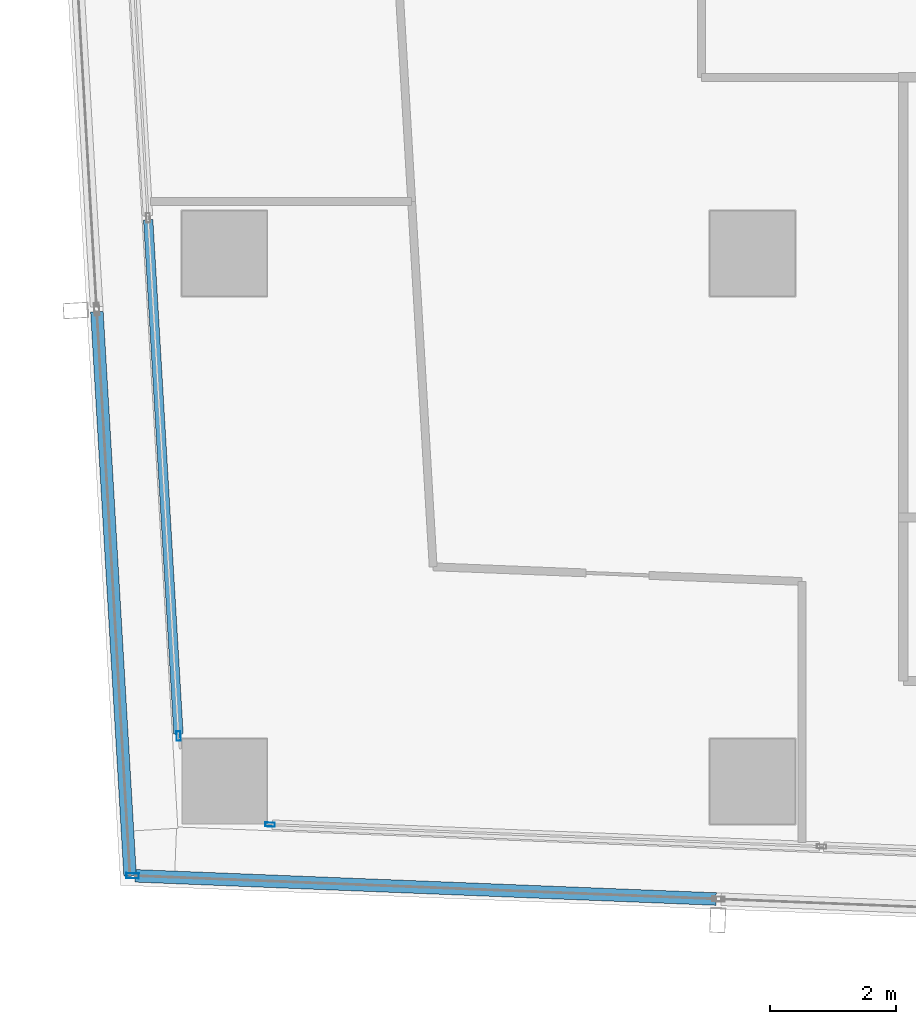
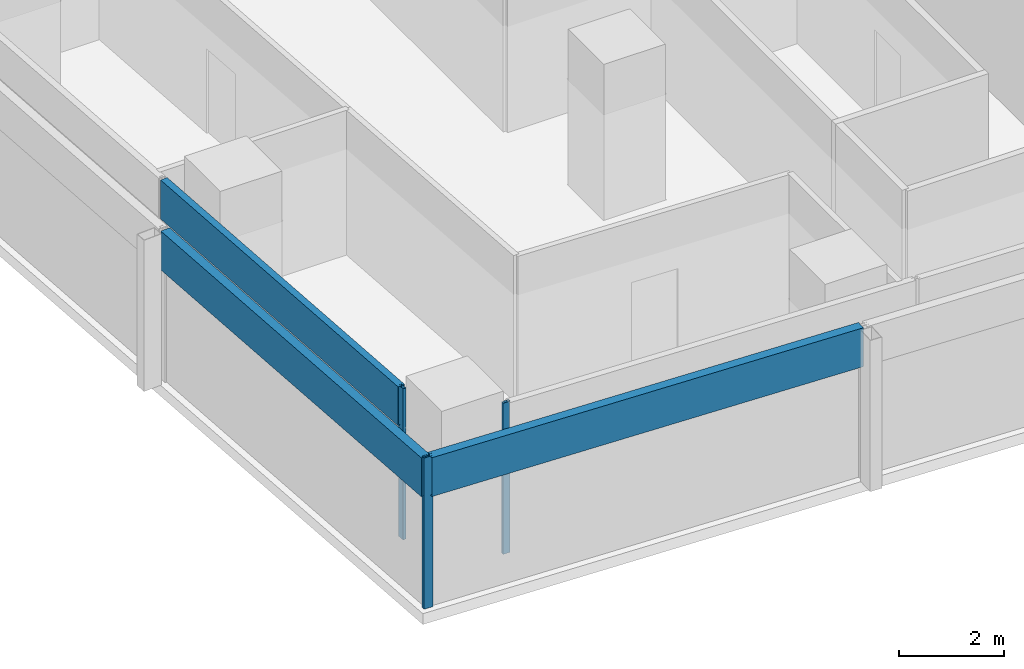
# One storey, part 2 of 33: 6 members, 4 elements without a shape of their own.
"""IFC4 building model written with IfcOpenShell, lengths in metres."""

from ifc_helpers import new_model, si_unit, direction, frame, origin, origin_2d, place, context, subcontext, project, spatial, hollow_rectangle, extrude, material, material_profile, profile_set, type_object, element, aggregate, save


model = new_model("IFC4")

# Units and contexts
model_context = context("Model", 3, precision=1e-05, world=origin(), true_north=direction((0.0, 1.0)))
body_context = subcontext(model_context, "Body", "Model", "MODEL_VIEW")
ifc_project = project(units=[si_unit("LENGTHUNIT", "METRE"), si_unit("AREAUNIT", "SQUARE_METRE"), si_unit("VOLUMEUNIT", "CUBIC_METRE"), si_unit("PLANEANGLEUNIT", "RADIAN"), si_unit("MASSUNIT", "GRAM", prefix="KILO")], contexts=[model_context])

# Site, building, storey
site_placement = place(None, origin())
site = spatial("IfcSite", under=ifc_project, at=site_placement, CompositionType="ELEMENT")
building_placement = place(site_placement, origin())
building = spatial("IfcBuilding", under=site, at=building_placement, Name="Rekha Terrace Tower", CompositionType="ELEMENT")
storey_placement = place(building_placement, frame((0.0, 0.0, 206.449951171875)))
storey = spatial("IfcBuildingStorey", under=building, at=storey_placement, Name="L52", CompositionType="ELEMENT", Elevation=206.449951171875)

# Curtain wall, member
ifc_material_1 = material(Name="Aluminium framing", Category="aluminium")
curtain_wall_type_1 = type_object("IfcCurtainWallType", Name="CW1 double skin inner glazing", PredefinedType="USERDEFINED", material=ifc_material_1)
curtain_wall_1_placement = place(storey_placement, origin())
curtain_wall_1 = element("IfcCurtainWall", 1, at=curtain_wall_1_placement, inside=storey, type_object=curtain_wall_type_1, Name="CW1 double skin inner glazing", ObjectType="DOUBLE SKIN INNER GLAZING", PredefinedType="USERDEFINED")
ifc_material_2 = material(Name="Aluminium mullion section", Category="aluminium")
ifc_material_profile_1 = material_profile(ifc_material_2, hollow_rectangle(XDim=0.06494140625, YDim=0.14990234375, WallThickness=0.00390625, at=origin_2d()), Name="AL RHS 65x150")
ifc_profile_set_1 = profile_set([ifc_material_profile_1], Name="Aluminium mullion section")
member_type_1 = type_object("IfcMemberType", Name="CW1 mullion RHS 65 x 150", PredefinedType="MULLION", material=ifc_profile_set_1)
member_1_placement = place(storey_placement, frame((9.127197265625, 16.115966796875, 0.0), z_axis=(0.0, 0.0, 1.0), x_axis=(0.039872497061, 0.999204775798, 0.0)))
member_1 = element("IfcMember", 2, at=member_1_placement, type_object=member_type_1, Name="CW1 mullion 1", PredefinedType="MULLION", context=body_context, shape_type="SweptSolid", body=[
    extrude(hollow_rectangle(XDim=0.06494140625, YDim=0.14990234375, WallThickness=0.00390625, at=origin_2d()), origin(), (0.0, 0.0, 1.0), 3.5),
])
aggregate(curtain_wall_1, [member_1])

# Curtain wall, members
curtain_wall_2_placement = place(storey_placement, origin())
curtain_wall_2 = element("IfcCurtainWall", 3, at=curtain_wall_2_placement, inside=storey, type_object=curtain_wall_type_1, Name="CW1 double skin inner glazing", ObjectType="DOUBLE SKIN INNER GLAZING", PredefinedType="USERDEFINED")
member_2_placement = place(storey_placement, frame((7.672119140625, 17.5244140625, 0.0), z_axis=(0.0, 0.0, 1.0), x_axis=(0.998271839269, 0.058765082516, 0.0)))
member_2 = element("IfcMember", 4, at=member_2_placement, type_object=member_type_1, Name="CW1 mullion 4", PredefinedType="MULLION", context=body_context, shape_type="SweptSolid", body=[
    extrude(hollow_rectangle(XDim=0.06494140625, YDim=0.14990234375, WallThickness=0.00390625, at=origin_2d()), origin(), (0.0, 0.0, 1.0), 3.5),
])
ifc_material_3 = material(Name="Insulated aluminium spandrel box", Category="aluminium")
ifc_material_profile_2 = material_profile(ifc_material_3, hollow_rectangle(XDim=0.14990234375, YDim=0.89990234375, WallThickness=0.0029296875, at=origin_2d()), Name="AL SPANDREL BOX 150x900")
ifc_profile_set_2 = profile_set([ifc_material_profile_2], Name="Insulated aluminium spandrel box")
member_type_2 = type_object("IfcMemberType", Name="CW1 spandrel transom 150 x 900", PredefinedType="USERDEFINED", material=ifc_profile_set_2)
member_3_placement = place(storey_placement, frame((7.188720703125, 25.733642578125, 3.050048828125), z_axis=(0.058777934282, -0.998271082643, 0.0), x_axis=(0.998271082643, 0.058777934282, 0.0)))
member_3 = element("IfcMember", 5, at=member_3_placement, type_object=member_type_2, Name="CW1 spandrel transom 3", ObjectType="TRANSOM", PredefinedType="USERDEFINED", context=body_context, shape_type="SweptSolid", body=[
    extrude(hollow_rectangle(XDim=0.14990234375, YDim=0.89990234375, WallThickness=0.0029296875, at=origin_2d()), origin(), (0.0, 0.0, 1.0), 8.19091796875),
])
aggregate(curtain_wall_2, [member_2, member_3])

curtain_wall_type_2 = type_object("IfcCurtainWallType", Name="CW2 double skin outer glazing", PredefinedType="USERDEFINED", material=ifc_material_1)
curtain_wall_3_placement = place(storey_placement, origin())
curtain_wall_3 = element("IfcCurtainWall", 6, at=curtain_wall_3_placement, inside=storey, type_object=curtain_wall_type_2, Name="CW2 double skin outer glazing", ObjectType="DOUBLE SKIN OUTER GLAZING", PredefinedType="USERDEFINED")
ifc_material_profile_3 = material_profile(ifc_material_2, hollow_rectangle(XDim=0.080078125, YDim=0.199951171875, WallThickness=0.00390625, at=origin_2d()), Name="AL RHS 80x200")
ifc_profile_set_3 = profile_set([ifc_material_profile_3], Name="Aluminium mullion section")
member_type_3 = type_object("IfcMemberType", Name="CW2 mullion RHS 80 x 200", PredefinedType="MULLION", material=ifc_profile_set_3)
member_4_placement = place(storey_placement, frame((6.941162109375, 15.302490234375, 0.0), z_axis=(0.0, 0.0, 1.0), x_axis=(0.039872497044, 0.999204775799, 0.0)))
member_4 = element("IfcMember", 7, at=member_4_placement, type_object=member_type_3, Name="CW2 mullion 1", PredefinedType="MULLION", context=body_context, shape_type="SweptSolid", body=[
    extrude(hollow_rectangle(XDim=0.080078125, YDim=0.199951171875, WallThickness=0.00390625, at=origin_2d()), origin(), (0.0, 0.0, 1.0), 3.5),
])
ifc_material_profile_4 = material_profile(ifc_material_3, hollow_rectangle(XDim=0.199951171875, YDim=0.89990234375, WallThickness=0.0029296875, at=origin_2d()), Name="AL SPANDREL BOX 200x900")
ifc_profile_set_4 = profile_set([ifc_material_profile_4], Name="Insulated aluminium spandrel box")
member_type_4 = type_object("IfcMemberType", Name="CW2 spandrel transom 200 x 900", PredefinedType="USERDEFINED", material=ifc_profile_set_4)
member_5_placement = place(storey_placement, frame((6.981201171875, 15.301025390625, 3.050048828125), z_axis=(0.999203782278, -0.039897386899, 0.0), x_axis=(0.039897386899, 0.999203782278, 0.0)))
member_5 = element("IfcMember", 8, at=member_5_placement, type_object=member_type_4, Name="CW2 spandrel transom 1", ObjectType="TRANSOM", PredefinedType="USERDEFINED", context=body_context, shape_type="SweptSolid", body=[
    extrude(hollow_rectangle(XDim=0.199951171875, YDim=0.89990234375, WallThickness=0.0029296875, at=origin_2d()), origin(), (0.0, 0.0, 1.0), 9.24609375),
])
aggregate(curtain_wall_3, [member_4, member_5])

# Curtain wall, member
curtain_wall_4_placement = place(storey_placement, origin())
curtain_wall_4 = element("IfcCurtainWall", 9, at=curtain_wall_4_placement, inside=storey, type_object=curtain_wall_type_2, Name="CW2 double skin outer glazing", ObjectType="DOUBLE SKIN OUTER GLAZING", PredefinedType="USERDEFINED")
member_6_placement = place(storey_placement, frame((6.373291015625, 24.27197265625, 3.050048828125), z_axis=(0.058757071111, -0.998272310842, 0.0), x_axis=(0.998272310842, 0.058757071111, 0.0)))
member_6 = element("IfcMember", 10, at=member_6_placement, type_object=member_type_4, Name="CW2 spandrel transom 3", ObjectType="TRANSOM", PredefinedType="USERDEFINED", context=body_context, shape_type="SweptSolid", body=[
    extrude(hollow_rectangle(XDim=0.199951171875, YDim=0.89990234375, WallThickness=0.0029296875, at=origin_2d()), origin(), (0.0, 0.0, 1.0), 8.9833984375),
])
aggregate(curtain_wall_4, [member_6])

save(model, "model.ifc")
